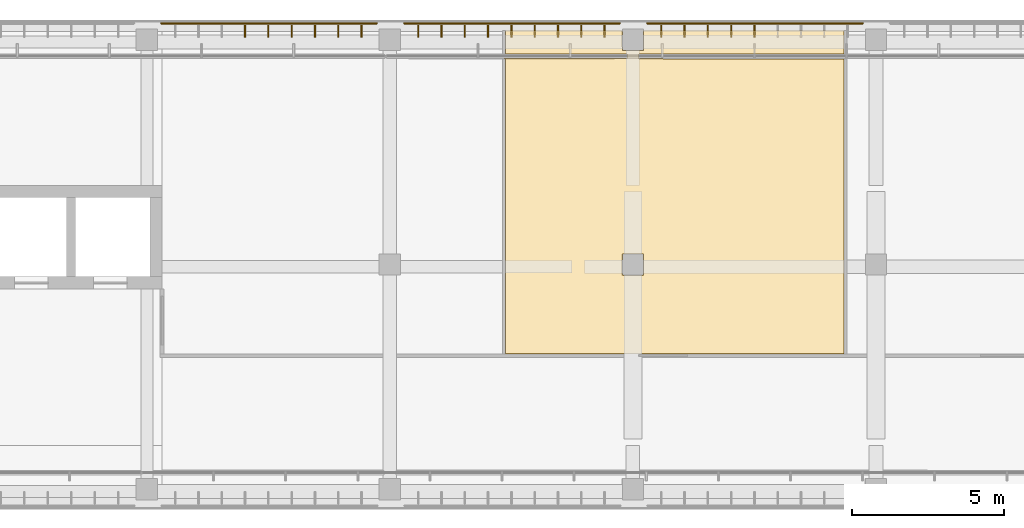
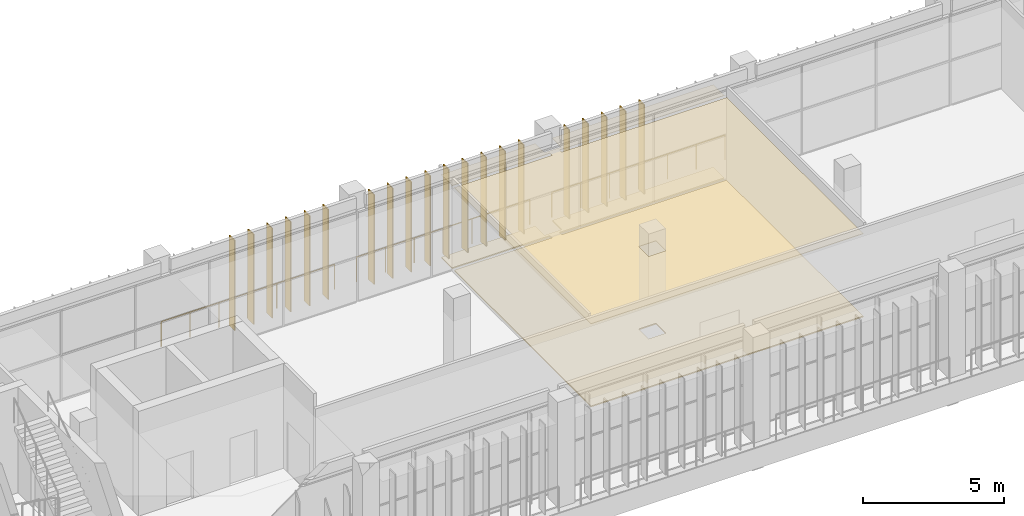
# One storey, part 67 of 73: 20 shading devices, 3 railings, 2 coverings.
"""IFC4 building model written with IfcOpenShell, lengths in metres."""

import ifcopenshell
import ifcopenshell.guid

model = None  # the IFC model being written
_history = None  # IfcOwnerHistory: only IFC2X3 demands one
_inside = {}  # id of a spatial element -> (the spatial element, [elements in it])
_under = {}  # id of a project, library or spatial element -> (it, [spatial elements below it])
_declared = {}  # id of a project -> (the project, [libraries it declares])
_typed = {}  # id of a type object -> (the type object, [elements of that type])
_made_of = {}  # id of a material, layer set ... -> (it, [elements and type objects made of it])


def new_model(schema):
    """Start an empty IFC model of exactly this schema.

    Asked for "IFC4X3", IfcOpenShell would pick the latest addendum, in which some entities
    have other attributes; the version numbers below select the first issue.
    IFC2X3 requires an IfcOwnerHistory on every rooted entity: one is made here for all.
    """
    global model, _history
    if schema == "IFC4X3":
        model = ifcopenshell.file(schema_version=(4, 3, 0, 0))
    else:
        model = ifcopenshell.file(schema=schema)
    _inside.clear()
    _under.clear()
    _declared.clear()
    _typed.clear()
    _made_of.clear()
    _history = None
    if model.schema == "IFC2X3":
        org = make("IfcOrganization", Name="unknown")
        user = make(
            "IfcPersonAndOrganization",
            ThePerson=make("IfcPerson", FamilyName="unknown"),
            TheOrganization=org,
        )
        app = make(
            "IfcApplication",
            ApplicationDeveloper=org,
            Version="unknown",
            ApplicationFullName="unknown",
            ApplicationIdentifier="unknown",
        )
        _history = make(
            "IfcOwnerHistory",
            OwningUser=user,
            OwningApplication=app,
            ChangeAction="ADDED",
            CreationDate=0,
        )
    return model


def make(cls, **values):
    """One entity of the class cls with the attributes given. An attribute that is None is left unset."""
    return model.create_entity(
        cls, **{name: value for name, value in values.items() if value is not None}
    )


def rooted(cls, **values):
    """An entity with a GlobalId (a new one), such as an element, a storey or a relation."""
    return make(cls, GlobalId=ifcopenshell.guid.new(), OwnerHistory=_history, **values)


def si_unit(unit_type, name, prefix=None):
    """IfcSIUnit, for example si_unit("LENGTHUNIT", "METRE", prefix="MILLI")."""
    return make("IfcSIUnit", UnitType=unit_type, Prefix=prefix, Name=name)


def assignment(units):
    """IfcUnitAssignment: the units of a project."""
    return None if units is None else make("IfcUnitAssignment", Units=units)


def point(xyz):
    """IfcCartesianPoint."""
    return None if xyz is None else make("IfcCartesianPoint", Coordinates=xyz)


def direction(xyz):
    """IfcDirection."""
    return None if xyz is None else make("IfcDirection", DirectionRatios=xyz)


def frame(location, z_axis=None, x_axis=None):
    """IfcAxis2Placement3D, a coordinate frame: its origin and axes. An axis left out is left unset."""
    return make(
        "IfcAxis2Placement3D",
        Location=point(location),
        Axis=direction(z_axis),
        RefDirection=direction(x_axis),
    )


def frame_2d(location, x_axis=None):
    """IfcAxis2Placement2D, a coordinate frame in the plane: its origin and x axis."""
    return make(
        "IfcAxis2Placement2D", Location=point(location), RefDirection=direction(x_axis)
    )


def origin():
    """The frame at (0, 0, 0) with its axes left unset."""
    return frame((0.0, 0.0, 0.0))


def origin_2d():
    """The frame at (0, 0) in the plane with its x axis left unset."""
    return frame_2d((0.0, 0.0))


def place(relative_to, where):
    """IfcLocalPlacement: puts the frame where relative to a parent placement (None: the world)."""
    return make(
        "IfcLocalPlacement", PlacementRelTo=relative_to, RelativePlacement=where
    )


def context(
    kind, dimensions, precision=None, world=None, true_north=None, identifier=None
):
    """IfcGeometricRepresentationContext, for example the 3D "Model" context."""
    return make(
        "IfcGeometricRepresentationContext",
        ContextIdentifier=identifier,
        ContextType=kind,
        CoordinateSpaceDimension=dimensions,
        Precision=precision,
        WorldCoordinateSystem=world,
        TrueNorth=true_north,
    )


def subcontext(parent, identifier, kind, view, scale=None):
    """IfcGeometricRepresentationSubContext, for example "Body" below "Model"."""
    return make(
        "IfcGeometricRepresentationSubContext",
        ContextIdentifier=identifier,
        ContextType=kind,
        ParentContext=parent,
        TargetScale=scale,
        TargetView=view,
    )


def project(units=None, contexts=None):
    """IfcProject with its units and contexts."""
    return rooted(
        "IfcProject",
        Name="project",
        RepresentationContexts=contexts,
        UnitsInContext=assignment(units),
    )


def spatial(cls, under=None, at=None, **own):
    """A site, building, storey or space (cls), placed at a placement, below another one or the project."""
    s = rooted(cls, ObjectPlacement=at, **own)
    if under is not None:
        _under.setdefault(under.id(), (under, []))[1].append(s)
    return s


def polyline(points):
    """IfcPolyline through the points."""
    return make("IfcPolyline", Points=[point(p) for p in points])


def profile(cls, at=None, kind="AREA", **sizes):
    """A parametric profile (cls). Its sizes go by their IFC names, for example OverallWidth=200.0."""
    return make(cls, ProfileType=kind, Position=at, **sizes)


def rectangle(**sizes):
    """IfcRectangleProfileDef."""
    return profile("IfcRectangleProfileDef", **sizes)


def circle(**sizes):
    """IfcCircleProfileDef."""
    return profile("IfcCircleProfileDef", **sizes)


def outline(outer, holes=None, kind="AREA"):
    """IfcArbitraryClosedProfileDef: a profile drawn as a closed curve; with holes, ...WithVoids."""
    if holes is None:
        return make("IfcArbitraryClosedProfileDef", ProfileType=kind, OuterCurve=outer)
    return make(
        "IfcArbitraryProfileDefWithVoids",
        ProfileType=kind,
        OuterCurve=outer,
        InnerCurves=holes,
    )


def extrude(swept, where, along, depth):
    """IfcExtrudedAreaSolid: the profile swept, set in the frame where, extruded along a direction by depth."""
    return make(
        "IfcExtrudedAreaSolid",
        SweptArea=swept,
        Position=where,
        ExtrudedDirection=direction(along),
        Depth=depth,
    )


def shape(context_of_items, identifier, shape_type, items):
    """IfcShapeRepresentation: the items that make up one representation, for example the "Body"."""
    return make(
        "IfcShapeRepresentation",
        ContextOfItems=context_of_items,
        RepresentationIdentifier=identifier,
        RepresentationType=shape_type,
        Items=items,
    )


def material(Name=None, Category=None):
    """IfcMaterial."""
    return make("IfcMaterial", Name=Name, Category=Category)


def layer(
    of_material, thickness, ventilated=None, Name=None, Category=None, Priority=None
):
    """IfcMaterialLayer: one layer of a wall or slab, of a material (None: an air gap)."""
    return make(
        "IfcMaterialLayer",
        Material=of_material,
        LayerThickness=thickness,
        IsVentilated=ventilated,
        Name=Name,
        Category=Category,
        Priority=Priority,
    )


def layer_set(layers, Name=None):
    """IfcMaterialLayerSet."""
    return make("IfcMaterialLayerSet", MaterialLayers=layers, LayerSetName=Name)


def made_of(thing, what):
    """Note that an element or type object is made of a material, layer set ...; save() writes the relation."""
    if what is not None:
        _made_of.setdefault(what.id(), (what, []))[1].append(thing)
    return thing


def type_object(cls, material=None, **own):
    """A type object (cls), such as IfcWallType, which elements share."""
    return made_of(rooted(cls, **own), material)


def element(
    cls,
    number,
    at=None,
    inside=None,
    cuts=None,
    type_object=None,
    material=None,
    context=None,
    identifier="Body",
    shape_type=None,
    held_by="IfcProductDefinitionShape",
    body=None,
    shapes=None,
    **own,
):
    """One element of the class cls, such as IfcWall. Its Tag is "e" and its number.

    at: its placement. inside: the storey or other place that contains it. cuts: it is an
    opening in that element (IfcRelVoidsElement). A single representation is given by context,
    identifier, shape_type and body (its items); several are given by shapes. held_by: the class
    of the entity that holds the representations. save() writes the other relations.
    """
    e = rooted(cls, Tag="e%d" % number, ObjectPlacement=at, **own)
    if body is not None:
        shapes = [shape(context, identifier, shape_type, body)]
    if shapes is not None:
        e.Representation = make(held_by, Representations=shapes)
    if inside is not None:
        _inside.setdefault(inside.id(), (inside, []))[1].append(e)
    if cuts is not None:
        rooted(
            "IfcRelVoidsElement", RelatingBuildingElement=cuts, RelatedOpeningElement=e
        )
    if type_object is not None:
        _typed.setdefault(type_object.id(), (type_object, []))[1].append(e)
    return made_of(e, material)


def aggregate(whole, parts):
    """IfcRelAggregates: a whole, such as a stair, and the parts it consists of."""
    return rooted("IfcRelAggregates", RelatingObject=whole, RelatedObjects=parts)


def save(model, path):
    """Write the relations noted so far, then the file.

    IfcRelAggregates (storeys below a building ...), IfcRelContainedInSpatialStructure (elements
    in a storey), IfcRelDefinesByType, IfcRelAssociatesMaterial and IfcRelDeclares: one each for
    every whole, place, type object, material and project.
    """
    for whole, parts in _under.values():
        aggregate(whole, parts)
    for where, things in _inside.values():
        rooted(
            "IfcRelContainedInSpatialStructure",
            RelatedElements=things,
            RelatingStructure=where,
        )
    for kind, things in _typed.values():
        rooted("IfcRelDefinesByType", RelatedObjects=things, RelatingType=kind)
    for what, things in _made_of.values():
        rooted("IfcRelAssociatesMaterial", RelatedObjects=things, RelatingMaterial=what)
    for by, libraries in _declared.values():
        rooted("IfcRelDeclares", RelatingContext=by, RelatedDefinitions=libraries)
    model.write(path)


model = new_model("IFC4")

# Units and contexts
model_context = context("Model", 3, precision=1e-05, world=origin(), true_north=direction((0.0, 1.0)))
body_context = subcontext(model_context, "Body", "Model", "MODEL_VIEW")
ifc_project = project(units=[si_unit("LENGTHUNIT", "METRE"), si_unit("AREAUNIT", "SQUARE_METRE"), si_unit("VOLUMEUNIT", "CUBIC_METRE"), si_unit("PLANEANGLEUNIT", "RADIAN"), si_unit("MASSUNIT", "GRAM", prefix="KILO")], contexts=[model_context])

# Site, building, storey
site_placement = place(None, origin())
site = spatial("IfcSite", under=ifc_project, at=site_placement, CompositionType="ELEMENT")
building_placement = place(site_placement, origin())
building = spatial("IfcBuilding", under=site, at=building_placement, Name="Lantern Court Media Centre", CompositionType="ELEMENT")
storey_placement = place(building_placement, frame((0.0, 0.0, 24.0)))
storey = spatial("IfcBuildingStorey", under=building, at=storey_placement, Name="L05", CompositionType="ELEMENT", Elevation=24.0)

# Covering
ifc_material_1 = material(Name="Carpet")
ifc_layer_1 = layer(ifc_material_1, 0.050048828125)
ifc_layer_set_1 = layer_set([ifc_layer_1], Name="Carpet")
covering_type_1 = type_object("IfcCoveringType", Name="Carpet floor finish", PredefinedType="FLOORING", material=ifc_layer_set_1)
covering_1_placement = place(storey_placement, origin())
element("IfcCovering", 1, at=covering_1_placement, inside=storey, type_object=covering_type_1, Name="Production Office 07 floor finish", PredefinedType="FLOORING", context=body_context, shape_type="SweptSolid", body=[
    extrude(outline(polyline([(54.945068359375, 116.699951171875), (54.945068359375, 115.929931640625), (48.195068359375, 115.925048828125), (48.199951171875, 115.77001953125), (54.945068359375, 115.77001953125), (54.945068359375, 106.0673828125), (43.804931640625, 106.0673828125), (43.804931640625, 115.77001953125), (47.804931640625, 115.77490234375), (47.800048828125, 115.929931640625), (43.804931640625, 115.929931640625), (43.804931640625, 116.699951171875), (47.64501953125, 116.699951171875), (47.64990234375, 116.044921875), (48.353515625, 116.04638671875), (48.35498046875, 116.699951171875), (54.945068359375, 116.699951171875)]), holes=[polyline([(48.35009765625, 108.64501953125), (48.353515625, 109.353515625), (47.646484375, 109.353515625), (47.646484375, 108.646484375), (48.35009765625, 108.64501953125)])]), origin(), (0.0, 0.0, 1.0), 0.050048828125),
])

# Railings
ifc_material_2 = material(Name="Powder-coated steel", Category="steel")
railing_type = type_object("IfcRailingType", Name="Floor edge guard 1100", PredefinedType="GUARDRAIL", material=ifc_material_2)
for number, where, name in (
    (2, (32.472900390625, 116.93994140625, 0.0), "L05 edge guard 169"),
    (3, (40.470947265625, 116.93994140625, 0.0), "L05 edge guard 172"),
):
    element("IfcRailing", number, at=place(storey_placement, frame(where)), inside=storey, type_object=railing_type, Name=name, PredefinedType="GUARDRAIL", context=body_context, shape_type="SweptSolid", body=[
        extrude(circle(Radius=0.02392578125, at=origin_2d()), frame((0.0, 0.0, 1.076171875), z_axis=(1.0, 0.0, 0.0), x_axis=(0.0, 1.0, 0.0)), (0.0, 0.0, 1.0), 7.09814453125),
        extrude(circle(Radius=0.02099609375, at=origin_2d()), origin(), (0.0, 0.0, 1.0), 1.052001953125),
        extrude(circle(Radius=0.02099609375, at=origin_2d()), frame((1.18310546875, 0.0, 0.0)), (0.0, 0.0, 1.0), 1.052001953125),
        extrude(circle(Radius=0.02099609375, at=origin_2d()), frame((2.365966796875, 0.0, 0.0)), (0.0, 0.0, 1.0), 1.052001953125),
        extrude(circle(Radius=0.02099609375, at=origin_2d()), frame((3.549072265625, 0.0, 0.0)), (0.0, 0.0, 1.0), 1.052001953125),
        extrude(circle(Radius=0.02099609375, at=origin_2d()), frame((4.732177734375, 0.0, 0.0)), (0.0, 0.0, 1.0), 1.052001953125),
        extrude(circle(Radius=0.02099609375, at=origin_2d()), frame((5.9150390625, 0.0, 0.0)), (0.0, 0.0, 1.0), 1.052001953125),
        extrude(circle(Radius=0.02099609375, at=origin_2d()), frame((7.09814453125, 0.0, 0.0)), (0.0, 0.0, 1.0), 1.052001953125),
    ])
railing_placement = place(storey_placement, frame((48.468994140625, 116.93994140625, 0.0)))
element("IfcRailing", 4, at=railing_placement, inside=storey, type_object=railing_type, Name="L05 edge guard 176", PredefinedType="GUARDRAIL", context=body_context, shape_type="SweptSolid", body=[
    extrude(circle(Radius=0.02392578125, at=origin_2d()), frame((0.0, 0.0, 1.076171875), z_axis=(1.0, 0.0, 0.0), x_axis=(0.0, 1.0, 0.0)), (0.0, 0.0, 1.0), 7.097900390625),
    extrude(circle(Radius=0.02099609375, at=origin_2d()), origin(), (0.0, 0.0, 1.0), 1.052001953125),
    extrude(circle(Radius=0.02099609375, at=origin_2d()), frame((1.18310546875, 0.0, 0.0)), (0.0, 0.0, 1.0), 1.052001953125),
    extrude(circle(Radius=0.02099609375, at=origin_2d()), frame((2.365966796875, 0.0, 0.0)), (0.0, 0.0, 1.0), 1.052001953125),
    extrude(circle(Radius=0.02099609375, at=origin_2d()), frame((3.548828125, 0.0, 0.0)), (0.0, 0.0, 1.0), 1.052001953125),
    extrude(circle(Radius=0.02099609375, at=origin_2d()), frame((4.73193359375, 0.0, 0.0)), (0.0, 0.0, 1.0), 1.052001953125),
    extrude(circle(Radius=0.02099609375, at=origin_2d()), frame((5.9150390625, 0.0, 0.0)), (0.0, 0.0, 1.0), 1.052001953125),
    extrude(circle(Radius=0.02099609375, at=origin_2d()), frame((7.097900390625, 0.0, 0.0)), (0.0, 0.0, 1.0), 1.052001953125),
])

# Covering
ifc_material_3 = material(Name="Mineral fibre ceiling tile")
ifc_layer_2 = layer(ifc_material_3, 0.02001953125)
ifc_layer_set_2 = layer_set([ifc_layer_2], Name="Mineral fibre ceiling tile")
covering_type_2 = type_object("IfcCoveringType", Name="Suspended ceiling tile", PredefinedType="CEILING", material=ifc_layer_set_2)
covering_2_placement = place(storey_placement, frame((0.0, 0.0, 3.60009765625)))
element("IfcCovering", 5, at=covering_2_placement, inside=storey, type_object=covering_type_2, Name="Production Office 07 ceiling", PredefinedType="CEILING", context=body_context, shape_type="SweptSolid", body=[
    extrude(outline(polyline([(55.0, 115.7705078125), (54.949462890625, 115.77001953125), (54.949462890625, 106.06298828125), (43.800537109375, 106.06298828125), (43.800537109375, 115.77001953125), (43.75, 115.7744140625), (47.800537109375, 115.77490234375), (47.800048828125, 115.925537109375), (43.75, 115.925537109375), (43.800537109375, 115.929931640625), (43.800537109375, 116.699951171875), (47.6494140625, 116.699951171875), (47.64990234375, 116.049560546875), (48.350341796875, 116.049560546875), (48.3505859375, 116.699951171875), (54.949462890625, 116.699951171875), (54.949462890625, 115.929931640625), (55.0, 115.925537109375), (48.199951171875, 115.925537109375), (48.199462890625, 115.77490234375), (55.0, 115.7705078125)]), holes=[polyline([(48.3505859375, 109.35009765625), (47.649658203125, 109.350341796875), (47.649658203125, 108.649658203125), (48.350341796875, 108.649658203125), (48.3505859375, 109.35009765625)])]), origin(), (0.0, 0.0, 1.0), 0.02001953125),
])

# Shading devices
ifc_material_4 = material(Name="Bronze anodised aluminium louvre", Category="aluminium")
ifc_layer_3 = layer(ifc_material_4, 0.0400390625)
ifc_layer_set_3 = layer_set([ifc_layer_3], Name="Bronze anodised aluminium louvre")
shading_device_type = type_object("IfcShadingDeviceType", Name="Vertical louvre 40x400 under beam", PredefinedType="USERDEFINED", material=ifc_layer_set_3)
for number, where, z_axis, x_axis, name in (
    (6, (35.2333984375, 116.679931640625, 0.0), (0.0, 0.0, 1.0), (1.0, 0.0, 0.0), "Vertical louvre N outer L05"),
    (7, (36.0, 116.679931640625, 0.0), (0.0, 0.0, 1.0), (1.0, 0.0, 0.0), "Vertical louvre N outer L05"),
    (8, (36.7666015625, 116.679931640625, 0.0), (0.0, 0.0, 1.0), (1.0, 0.0, 0.0), "Vertical louvre N outer L05"),
    (9, (37.533447265625, 116.679931640625, 0.0), (0.0, 0.0, 1.0), (1.0, 0.0, 0.0), "Vertical louvre N outer L05"),
    (10, (38.300048828125, 116.679931640625, 0.0), (0.0, 0.0, 1.0), (1.0, 0.0, 0.0), "Vertical louvre N outer L05"),
    (11, (39.066650390625, 116.679931640625, 0.0), (0.0, 0.0, 1.0), (1.0, 0.0, 0.0), "Vertical louvre N outer L05"),
    (12, (40.933349609375, 116.679931640625, 0.0), (0.0, 0.0, 1.0), (1.0, 0.0, 0.0), "Vertical louvre N outer L05"),
    (13, (41.699951171875, 116.679931640625, 0.0), (0.0, 0.0, 1.0), (1.0, 0.0, 0.0), "Vertical louvre N outer L05"),
    (14, (42.466552734375, 116.679931640625, 0.0), (0.0, 0.0, 1.0), (1.0, 0.0, 0.0), "Vertical louvre N outer L05"),
    (15, (43.2333984375, 116.679931640625, 0.0), (0.0, 0.0, 1.0), (1.0, 0.0, 0.0), "Vertical louvre N outer L05"),
    (16, (44.0, 116.679931640625, 0.0), (0.0, 0.0, 1.0), (1.0, 0.0, 0.0), "Vertical louvre N outer L05"),
    (17, (44.7666015625, 116.679931640625, 0.0), (0.0, 0.0, 1.0), (1.0, 0.0, 0.0), "Vertical louvre N outer L05"),
    (18, (45.533447265625, 116.679931640625, 0.0), (0.0, 0.0, 1.0), (1.0, 0.0, 0.0), "Vertical louvre N outer L05"),
    (19, (46.300048828125, 116.679931640625, 0.0), (0.0, 0.0, 1.0), (1.0, 0.0, 0.0), "Vertical louvre N outer L05"),
    (20, (47.066650390625, 116.679931640625, 0.0), (0.0, 0.0, 1.0), (1.0, 0.0, 0.0), "Vertical louvre N outer L05"),
    (21, (48.933349609375, 116.679931640625, 0.0), (0.0, 0.0, 1.0), (1.0, 0.0, 0.0), "Vertical louvre N outer L05"),
    (22, (49.699951171875, 116.679931640625, 0.0), (0.0, 0.0, 1.0), (1.0, 0.0, 0.0), "Vertical louvre N outer L05"),
    (23, (50.466552734375, 116.679931640625, 0.0), (0.0, 0.0, 1.0), (1.0, 0.0, 0.0), "Vertical louvre N outer L05"),
    (24, (51.2333984375, 116.679931640625, 0.0), (0.0, 0.0, 1.0), (1.0, 0.0, 0.0), "Vertical louvre N outer L05"),
    (25, (52.0, 116.679931640625, 0.0), (0.0, 0.0, 1.0), (1.0, 0.0, 0.0), "Vertical louvre N outer L05"),
):
    element("IfcShadingDevice", number, at=place(storey_placement, frame(where, z_axis=z_axis, x_axis=x_axis)), inside=storey, type_object=shading_device_type, Name=name, ObjectType="VERTICAL LOUVRE", PredefinedType="USERDEFINED", context=body_context, shape_type="SweptSolid", body=[
        extrude(rectangle(XDim=0.0400390625, YDim=0.39990234375, at=origin_2d()), origin(), (0.0, 0.0, 1.0), 3.89990234375),
    ])

save(model, "model.ifc")
